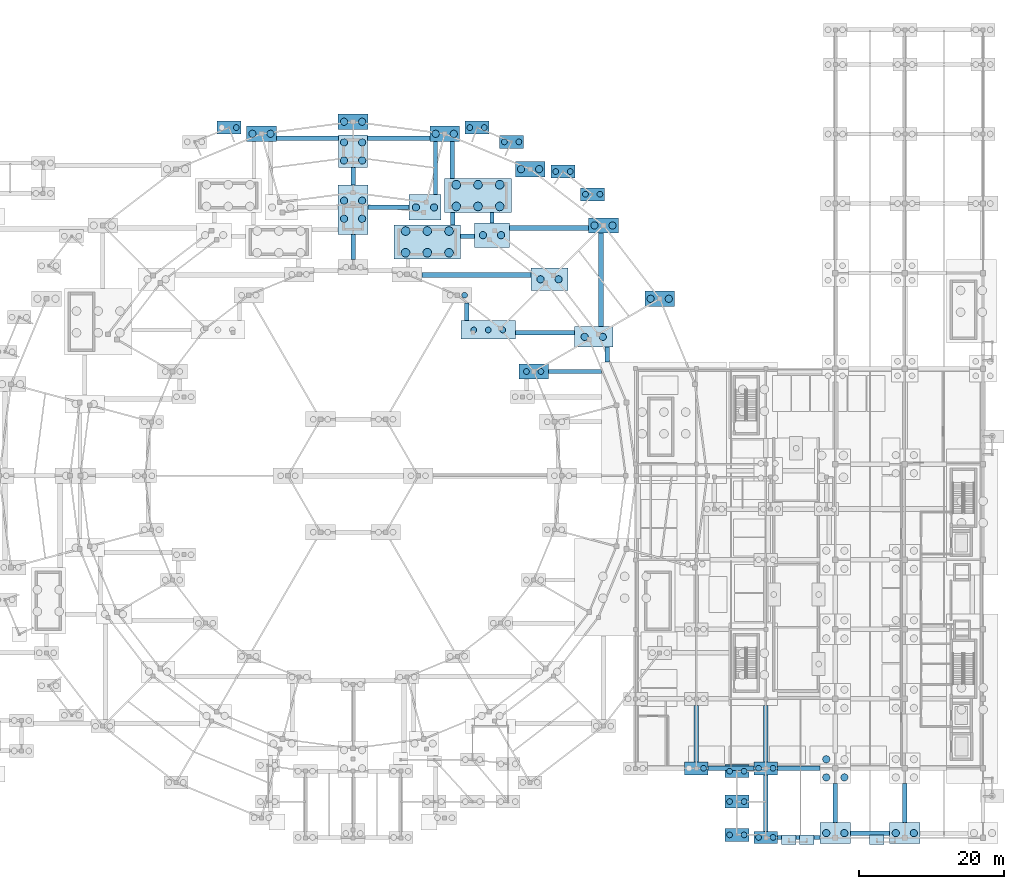
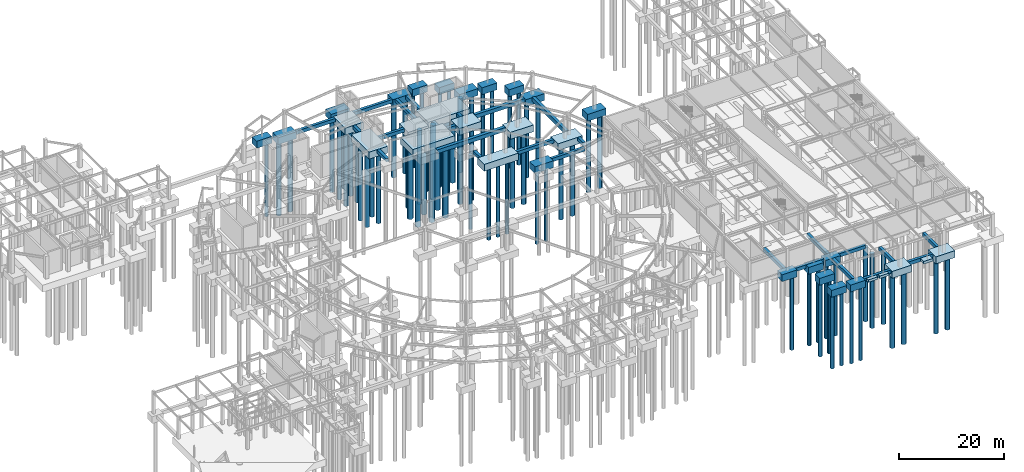
# One storey, part 5 of 55: 73 piles, 58 footings.
"""IFC4 building model written with IfcOpenShell, lengths in metres."""

import ifcopenshell
import ifcopenshell.guid

model = None  # the IFC model being written
_history = None  # IfcOwnerHistory: only IFC2X3 demands one
_inside = {}  # id of a spatial element -> (the spatial element, [elements in it])
_under = {}  # id of a project, library or spatial element -> (it, [spatial elements below it])
_declared = {}  # id of a project -> (the project, [libraries it declares])
_typed = {}  # id of a type object -> (the type object, [elements of that type])
_made_of = {}  # id of a material, layer set ... -> (it, [elements and type objects made of it])


def new_model(schema):
    """Start an empty IFC model of exactly this schema.

    Asked for "IFC4X3", IfcOpenShell would pick the latest addendum, in which some entities
    have other attributes; the version numbers below select the first issue.
    IFC2X3 requires an IfcOwnerHistory on every rooted entity: one is made here for all.
    """
    global model, _history
    if schema == "IFC4X3":
        model = ifcopenshell.file(schema_version=(4, 3, 0, 0))
    else:
        model = ifcopenshell.file(schema=schema)
    _inside.clear()
    _under.clear()
    _declared.clear()
    _typed.clear()
    _made_of.clear()
    _history = None
    if model.schema == "IFC2X3":
        org = make("IfcOrganization", Name="unknown")
        user = make(
            "IfcPersonAndOrganization",
            ThePerson=make("IfcPerson", FamilyName="unknown"),
            TheOrganization=org,
        )
        app = make(
            "IfcApplication",
            ApplicationDeveloper=org,
            Version="unknown",
            ApplicationFullName="unknown",
            ApplicationIdentifier="unknown",
        )
        _history = make(
            "IfcOwnerHistory",
            OwningUser=user,
            OwningApplication=app,
            ChangeAction="ADDED",
            CreationDate=0,
        )
    return model


def make(cls, **values):
    """One entity of the class cls with the attributes given. An attribute that is None is left unset."""
    return model.create_entity(
        cls, **{name: value for name, value in values.items() if value is not None}
    )


def rooted(cls, **values):
    """An entity with a GlobalId (a new one), such as an element, a storey or a relation."""
    return make(cls, GlobalId=ifcopenshell.guid.new(), OwnerHistory=_history, **values)


def si_unit(unit_type, name, prefix=None):
    """IfcSIUnit, for example si_unit("LENGTHUNIT", "METRE", prefix="MILLI")."""
    return make("IfcSIUnit", UnitType=unit_type, Prefix=prefix, Name=name)


def assignment(units):
    """IfcUnitAssignment: the units of a project."""
    return None if units is None else make("IfcUnitAssignment", Units=units)


def point(xyz):
    """IfcCartesianPoint."""
    return None if xyz is None else make("IfcCartesianPoint", Coordinates=xyz)


def direction(xyz):
    """IfcDirection."""
    return None if xyz is None else make("IfcDirection", DirectionRatios=xyz)


def frame(location, z_axis=None, x_axis=None):
    """IfcAxis2Placement3D, a coordinate frame: its origin and axes. An axis left out is left unset."""
    return make(
        "IfcAxis2Placement3D",
        Location=point(location),
        Axis=direction(z_axis),
        RefDirection=direction(x_axis),
    )


def frame_2d(location, x_axis=None):
    """IfcAxis2Placement2D, a coordinate frame in the plane: its origin and x axis."""
    return make(
        "IfcAxis2Placement2D", Location=point(location), RefDirection=direction(x_axis)
    )


def origin():
    """The frame at (0, 0, 0) with its axes left unset."""
    return frame((0.0, 0.0, 0.0))


def origin_2d():
    """The frame at (0, 0) in the plane with its x axis left unset."""
    return frame_2d((0.0, 0.0))


def place(relative_to, where):
    """IfcLocalPlacement: puts the frame where relative to a parent placement (None: the world)."""
    return make(
        "IfcLocalPlacement", PlacementRelTo=relative_to, RelativePlacement=where
    )


def context(
    kind, dimensions, precision=None, world=None, true_north=None, identifier=None
):
    """IfcGeometricRepresentationContext, for example the 3D "Model" context."""
    return make(
        "IfcGeometricRepresentationContext",
        ContextIdentifier=identifier,
        ContextType=kind,
        CoordinateSpaceDimension=dimensions,
        Precision=precision,
        WorldCoordinateSystem=world,
        TrueNorth=true_north,
    )


def subcontext(parent, identifier, kind, view, scale=None):
    """IfcGeometricRepresentationSubContext, for example "Body" below "Model"."""
    return make(
        "IfcGeometricRepresentationSubContext",
        ContextIdentifier=identifier,
        ContextType=kind,
        ParentContext=parent,
        TargetScale=scale,
        TargetView=view,
    )


def project(units=None, contexts=None):
    """IfcProject with its units and contexts."""
    return rooted(
        "IfcProject",
        Name="project",
        RepresentationContexts=contexts,
        UnitsInContext=assignment(units),
    )


def spatial(cls, under=None, at=None, **own):
    """A site, building, storey or space (cls), placed at a placement, below another one or the project."""
    s = rooted(cls, ObjectPlacement=at, **own)
    if under is not None:
        _under.setdefault(under.id(), (under, []))[1].append(s)
    return s


def profile(cls, at=None, kind="AREA", **sizes):
    """A parametric profile (cls). Its sizes go by their IFC names, for example OverallWidth=200.0."""
    return make(cls, ProfileType=kind, Position=at, **sizes)


def rectangle(**sizes):
    """IfcRectangleProfileDef."""
    return profile("IfcRectangleProfileDef", **sizes)


def circle(**sizes):
    """IfcCircleProfileDef."""
    return profile("IfcCircleProfileDef", **sizes)


def extrude(swept, where, along, depth):
    """IfcExtrudedAreaSolid: the profile swept, set in the frame where, extruded along a direction by depth."""
    return make(
        "IfcExtrudedAreaSolid",
        SweptArea=swept,
        Position=where,
        ExtrudedDirection=direction(along),
        Depth=depth,
    )


def shape(context_of_items, identifier, shape_type, items):
    """IfcShapeRepresentation: the items that make up one representation, for example the "Body"."""
    return make(
        "IfcShapeRepresentation",
        ContextOfItems=context_of_items,
        RepresentationIdentifier=identifier,
        RepresentationType=shape_type,
        Items=items,
    )


def material(Name=None, Category=None):
    """IfcMaterial."""
    return make("IfcMaterial", Name=Name, Category=Category)


def material_profile(
    of_material, cross_section, Name=None, Category=None, Priority=None
):
    """IfcMaterialProfile: a cross section and its material."""
    return make(
        "IfcMaterialProfile",
        Name=Name,
        Material=of_material,
        Profile=cross_section,
        Priority=Priority,
        Category=Category,
    )


def profile_set(profiles, Name=None, composite=None):
    """IfcMaterialProfileSet."""
    return make(
        "IfcMaterialProfileSet",
        Name=Name,
        MaterialProfiles=profiles,
        CompositeProfile=composite,
    )


def made_of(thing, what):
    """Note that an element or type object is made of a material, layer set ...; save() writes the relation."""
    if what is not None:
        _made_of.setdefault(what.id(), (what, []))[1].append(thing)
    return thing


def type_object(cls, material=None, **own):
    """A type object (cls), such as IfcWallType, which elements share."""
    return made_of(rooted(cls, **own), material)


def element(
    cls,
    number,
    at=None,
    inside=None,
    cuts=None,
    type_object=None,
    material=None,
    context=None,
    identifier="Body",
    shape_type=None,
    held_by="IfcProductDefinitionShape",
    body=None,
    shapes=None,
    **own,
):
    """One element of the class cls, such as IfcWall. Its Tag is "e" and its number.

    at: its placement. inside: the storey or other place that contains it. cuts: it is an
    opening in that element (IfcRelVoidsElement). A single representation is given by context,
    identifier, shape_type and body (its items); several are given by shapes. held_by: the class
    of the entity that holds the representations. save() writes the other relations.
    """
    e = rooted(cls, Tag="e%d" % number, ObjectPlacement=at, **own)
    if body is not None:
        shapes = [shape(context, identifier, shape_type, body)]
    if shapes is not None:
        e.Representation = make(held_by, Representations=shapes)
    if inside is not None:
        _inside.setdefault(inside.id(), (inside, []))[1].append(e)
    if cuts is not None:
        rooted(
            "IfcRelVoidsElement", RelatingBuildingElement=cuts, RelatedOpeningElement=e
        )
    if type_object is not None:
        _typed.setdefault(type_object.id(), (type_object, []))[1].append(e)
    return made_of(e, material)


def aggregate(whole, parts):
    """IfcRelAggregates: a whole, such as a stair, and the parts it consists of."""
    return rooted("IfcRelAggregates", RelatingObject=whole, RelatedObjects=parts)


def save(model, path):
    """Write the relations noted so far, then the file.

    IfcRelAggregates (storeys below a building ...), IfcRelContainedInSpatialStructure (elements
    in a storey), IfcRelDefinesByType, IfcRelAssociatesMaterial and IfcRelDeclares: one each for
    every whole, place, type object, material and project.
    """
    for whole, parts in _under.values():
        aggregate(whole, parts)
    for where, things in _inside.values():
        rooted(
            "IfcRelContainedInSpatialStructure",
            RelatedElements=things,
            RelatingStructure=where,
        )
    for kind, things in _typed.values():
        rooted("IfcRelDefinesByType", RelatedObjects=things, RelatingType=kind)
    for what, things in _made_of.values():
        rooted("IfcRelAssociatesMaterial", RelatedObjects=things, RelatingMaterial=what)
    for by, libraries in _declared.values():
        rooted("IfcRelDeclares", RelatingContext=by, RelatedDefinitions=libraries)
    model.write(path)


model = new_model("IFC4")

# Units and contexts
model_context = context("Model", 3, precision=1e-05, world=origin(), true_north=direction((0.0, 1.0)))
body_context = subcontext(model_context, "Body", "Model", "MODEL_VIEW")
ifc_project = project(units=[si_unit("LENGTHUNIT", "METRE"), si_unit("AREAUNIT", "SQUARE_METRE"), si_unit("VOLUMEUNIT", "CUBIC_METRE"), si_unit("PLANEANGLEUNIT", "RADIAN"), si_unit("MASSUNIT", "GRAM", prefix="KILO")], contexts=[model_context])

# Site, building, storey
site_placement = place(None, origin())
site = spatial("IfcSite", under=ifc_project, at=site_placement, CompositionType="ELEMENT")
building_placement = place(site_placement, origin())
building = spatial("IfcBuilding", under=site, at=building_placement, Name="Almandine Court Research Institute", CompositionType="ELEMENT")
storey_placement = place(building_placement, frame((0.0, 0.0, -5.25)))
storey = spatial("IfcBuildingStorey", under=building, at=storey_placement, Name="B1", CompositionType="ELEMENT", Elevation=-5.25)

# Footings
ifc_material = material(Name="Concrete C35/45", Category="concrete")
footing_type_1 = type_object("IfcFootingType", Name="Cap-PC-01", PredefinedType="PILE_CAP", material=ifc_material)
for number, where, z_axis, x_axis, name in (
    (1, (153.60009765625, 6.64990234375, -1.60009765625), (0.0, 0.0, 1.0), (1.0, 0.0, 0.0), "Reinforced Concrete Pile Cap 001"),
    (2, (163.199951171875, 6.64990234375, -1.60009765625), (0.0, 0.0, 1.0), (1.0, 0.0, 0.0), "Reinforced Concrete Pile Cap 002"),
):
    element("IfcFooting", number, at=place(storey_placement, frame(where, z_axis=z_axis, x_axis=x_axis)), inside=storey, type_object=footing_type_1, Name=name, PredefinedType="PILE_CAP", context=body_context, shape_type="SweptSolid", body=[
        extrude(rectangle(XDim=4.199951171875, YDim=2.89990234375, at=origin_2d()), origin(), (0.0, 0.0, 1.0), 1.60009765625),
    ])
footing_type_2 = type_object("IfcFootingType", Name="Cap-PC-03", PredefinedType="PILE_CAP", material=ifc_material)
footing_1_placement = place(storey_placement, frame((144.0, 6.050048828125, -1.60009765625), z_axis=(0.0, 0.0, 1.0), x_axis=(1.0, 0.0, 0.0)))
element("IfcFooting", 3, at=footing_1_placement, inside=storey, type_object=footing_type_2, Name="Reinforced Concrete Pile Cap 009", PredefinedType="PILE_CAP", context=body_context, shape_type="SweptSolid", body=[
    extrude(rectangle(XDim=3.300048828125, YDim=1.699951171875, at=origin_2d()), origin(), (0.0, 0.0, 1.0), 1.60009765625),
])
footing_type_3 = type_object("IfcFootingType", Name="Cap-PC-05", PredefinedType="PILE_CAP", material=ifc_material)
for number, where, z_axis, x_axis, name in (
    (4, (134.39990234375, 15.60009765625, -1.60009765625), (0.0, 0.0, 1.0), (1.0, 0.0, 0.0), "Reinforced Concrete Pile Cap 022"),
    (5, (144.0, 15.60009765625, -1.60009765625), (0.0, 0.0, 1.0), (1.0, 0.0, 0.0), "Reinforced Concrete Pile Cap 023"),
):
    element("IfcFooting", number, at=place(storey_placement, frame(where, z_axis=z_axis, x_axis=x_axis)), inside=storey, type_object=footing_type_3, Name=name, PredefinedType="PILE_CAP", context=body_context, shape_type="SweptSolid", body=[
        extrude(rectangle(XDim=3.300048828125, YDim=1.800048828125, at=origin_2d()), origin(), (0.0, 0.0, 1.0), 1.60009765625),
    ])
footing_type_4 = type_object("IfcFootingType", Name="Cap-PC-18", PredefinedType="PILE_CAP", material=ifc_material)
footing_2_placement = place(storey_placement, frame((111.94189453125, 70.39990234375, -1.60009765625), z_axis=(0.0, 0.0, 1.0), x_axis=(1.0, 0.0, 0.0)))
element("IfcFooting", 6, at=footing_2_placement, inside=storey, type_object=footing_type_4, Name="Reinforced Concrete Pile Cap 100", PredefinedType="PILE_CAP", context=body_context, shape_type="SweptSolid", body=[
    extrude(rectangle(XDim=4.10009765625, YDim=2.10009765625, at=origin_2d()), origin(), (0.0, 0.0, 1.0), 1.60009765625),
])
footing_type_5 = type_object("IfcFootingType", Name="Cap-PC-27", PredefinedType="PILE_CAP", material=ifc_material)
for number, where, z_axis, x_axis, name in (
    (7, (129.34912109375, 80.449951171875, -1.60009765625), (0.0, 0.0, 1.0), (1.0, 0.0, 0.0), "Reinforced Concrete Pile Cap 107"),
    (8, (121.577880859375, 90.577880859375, -1.60009765625), (0.0, 0.0, 1.0), (1.0, 0.0, 0.0), "Reinforced Concrete Pile Cap 127"),
    (9, (111.449951171875, 98.34912109375, -1.60009765625), (0.0, 0.0, 1.0), (1.0, 0.0, 0.0), "Reinforced Concrete Pile Cap 139"),
    (10, (74.343994140625, 103.23388671875, -1.60009765625), (0.0, 0.0, 1.0), (1.0, 0.0, 0.0), "Reinforced Concrete Pile Cap 147"),
    (11, (99.656005859375, 103.23388671875, -1.60009765625), (0.0, 0.0, 1.0), (1.0, 0.0, 0.0), "Reinforced Concrete Pile Cap 148"),
    (12, (87.0, 104.89990234375, -1.60009765625), (0.0, 0.0, 1.0), (1.0, 0.0, 0.0), "Reinforced Concrete Pile Cap 152"),
):
    element("IfcFooting", number, at=place(storey_placement, frame(where, z_axis=z_axis, x_axis=x_axis)), inside=storey, type_object=footing_type_5, Name=name, PredefinedType="PILE_CAP", context=body_context, shape_type="SweptSolid", body=[
        extrude(rectangle(XDim=4.10009765625, YDim=2.10009765625, at=origin_2d()), origin(), (0.0, 0.0, 1.0), 1.60009765625),
    ])
footing_type_6 = type_object("IfcFootingType", Name="Cap-PC-30", PredefinedType="PILE_CAP", material=ifc_material)
footing_3_placement = place(storey_placement, frame((120.23388671875, 75.18798828125, -1.60009765625), z_axis=(0.0, 0.0, 1.0), x_axis=(1.0, 0.0, 0.0)))
element("IfcFooting", 13, at=footing_3_placement, inside=storey, type_object=footing_type_6, Name="Reinforced Concrete Pile Cap 102", PredefinedType="PILE_CAP", context=body_context, shape_type="SweptSolid", body=[
    extrude(rectangle(XDim=5.35595703125, YDim=2.824951171875, at=origin_2d()), origin(), (0.0, 0.0, 1.0), 1.60009765625),
])
footing_type_7 = type_object("IfcFootingType", Name="Cap-PC-32", PredefinedType="PILE_CAP", material=ifc_material)
footing_4_placement = place(storey_placement, frame((105.674072265625, 76.138916015625, -1.60009765625), z_axis=(0.0, 0.0, 1.0), x_axis=(1.0, 0.0, 0.0)))
element("IfcFooting", 14, at=footing_4_placement, inside=storey, type_object=footing_type_7, Name="Reinforced Concrete Pile Cap 105", PredefinedType="PILE_CAP", context=body_context, shape_type="SweptSolid", body=[
    extrude(rectangle(XDim=7.48095703125, YDim=2.551025390625, at=origin_2d()), origin(), (0.0, 0.0, 1.0), 1.60009765625),
])
footing_type_8 = type_object("IfcFootingType", Name="Cap-PC-33", PredefinedType="PILE_CAP", material=ifc_material)
footing_5_placement = place(storey_placement, frame((114.135009765625, 83.135009765625, -1.60009765625), z_axis=(0.0, 0.0, 1.0), x_axis=(1.0, 0.0, 0.0)))
element("IfcFooting", 15, at=footing_5_placement, inside=storey, type_object=footing_type_8, Name="Reinforced Concrete Pile Cap 111", PredefinedType="PILE_CAP", context=body_context, shape_type="SweptSolid", body=[
    extrude(rectangle(XDim=5.125, YDim=3.125, at=origin_2d()), origin(), (0.0, 0.0, 1.0), 1.60009765625),
])
footing_type_9 = type_object("IfcFootingType", Name="Cap-PC-35", PredefinedType="PILE_CAP", material=ifc_material)
for number, where, z_axis, x_axis, name in (
    (16, (97.25, 88.300048828125, -1.60009765625), (0.0, 0.0, 1.0), (1.0, 0.0, 0.0), "Reinforced Concrete Pile Cap 120"),
    (17, (104.25, 94.699951171875, -1.60009765625), (0.0, 0.0, 1.0), (1.0, 0.0, 0.0), "Reinforced Concrete Pile Cap 133"),
):
    element("IfcFooting", number, at=place(storey_placement, frame(where, z_axis=z_axis, x_axis=x_axis)), inside=storey, type_object=footing_type_9, Name=name, PredefinedType="PILE_CAP", context=body_context, shape_type="SweptSolid", body=[
        extrude(rectangle(XDim=9.199951171875, YDim=4.699951171875, at=origin_2d()), origin(), (0.0, 0.0, 1.0), 1.60009765625),
    ])
footing_type_10 = type_object("IfcFootingType", Name="Cap-PC-37", PredefinedType="PILE_CAP", material=ifc_material)
footing_6_placement = place(storey_placement, frame((106.18798828125, 89.23388671875, -1.60009765625), z_axis=(0.0, 0.0, 1.0), x_axis=(1.0, 0.0, 0.0)))
element("IfcFooting", 18, at=footing_6_placement, inside=storey, type_object=footing_type_10, Name="Reinforced Concrete Pile Cap 124", PredefinedType="PILE_CAP", context=body_context, shape_type="SweptSolid", body=[
    extrude(rectangle(XDim=4.824951171875, YDim=3.35595703125, at=origin_2d()), origin(), (0.0, 0.0, 1.0), 1.60009765625),
])
footing_type_11 = type_object("IfcFootingType", Name="Cap-PC-38", PredefinedType="PILE_CAP", material=ifc_material)
footing_7_placement = place(storey_placement, frame((87.0, 92.75, -1.60009765625), z_axis=(0.0, 0.0, 1.0), x_axis=(1.0, 0.0, 0.0)))
element("IfcFooting", 19, at=footing_7_placement, inside=storey, type_object=footing_type_11, Name="Reinforced Concrete Pile Cap 125", PredefinedType="PILE_CAP", context=body_context, shape_type="SweptSolid", body=[
    extrude(rectangle(XDim=4.10009765625, YDim=6.800048828125, at=origin_2d()), origin(), (0.0, 0.0, 1.0), 1.60009765625),
])
footing_type_12 = type_object("IfcFootingType", Name="Cap-PC-39", PredefinedType="PILE_CAP", material=ifc_material)
footing_8_placement = place(storey_placement, frame((96.93310546875, 93.06689453125, -1.60009765625), z_axis=(0.0, 0.0, 1.0), x_axis=(1.0, 0.0, 0.0)))
element("IfcFooting", 20, at=footing_8_placement, inside=storey, type_object=footing_type_12, Name="Reinforced Concrete Pile Cap 129", PredefinedType="PILE_CAP", context=body_context, shape_type="SweptSolid", body=[
    extrude(rectangle(XDim=4.47509765625, YDim=3.5009765625, at=origin_2d()), origin(), (0.0, 0.0, 1.0), 1.60009765625),
])
footing_type_13 = type_object("IfcFootingType", Name="Cap-PC-41", PredefinedType="PILE_CAP", material=ifc_material)
footing_9_placement = place(storey_placement, frame((87.0, 100.800048828125, -1.60009765625), z_axis=(0.0, 0.0, 1.0), x_axis=(1.0, 0.0, 0.0)))
element("IfcFooting", 21, at=footing_9_placement, inside=storey, type_object=footing_type_13, Name="Reinforced Concrete Pile Cap 142", PredefinedType="PILE_CAP", context=body_context, shape_type="SweptSolid", body=[
    extrude(rectangle(XDim=4.0, YDim=4.5, at=origin_2d()), origin(), (0.0, 0.0, 1.0), 1.60009765625),
])
footing_type_14 = type_object("IfcFootingType", Name="Cap-PC-S01", PredefinedType="PILE_CAP", material=ifc_material)
for number, where, z_axis, x_axis, name in (
    (22, (140.0, 6.39990234375, -1.60009765625), (0.0, 0.0, 1.0), (1.0, 0.0, 0.0), "Supplemental Threshold Pile Cap 004"),
    (23, (140.0, 11.0, -1.60009765625), (0.0, 0.0, 1.0), (1.0, 0.0, 0.0), "Supplemental Threshold Pile Cap 005"),
    (24, (140.0, 15.199951171875, -1.60009765625), (0.0, 0.0, 1.0), (1.0, 0.0, 0.0), "Supplemental Threshold Pile Cap 006"),
    (25, (120.0869140625, 94.876953125, -1.60009765625), (0.0, 0.0, 1.0), (1.0, 0.0, 0.0), "Supplemental Threshold Pile Cap 015"),
    (26, (115.988037109375, 98.02099609375, -1.60009765625), (0.0, 0.0, 1.0), (1.0, 0.0, 0.0), "Supplemental Threshold Pile Cap 016"),
    (27, (108.89697265625, 102.114990234375, -1.60009765625), (0.0, 0.0, 1.0), (1.0, 0.0, 0.0), "Supplemental Threshold Pile Cap 017"),
    (28, (104.125, 104.092041015625, -1.60009765625), (0.0, 0.0, 1.0), (1.0, 0.0, 0.0), "Supplemental Threshold Pile Cap 018"),
    (29, (69.875, 104.092041015625, -1.60009765625), (0.0, 0.0, 1.0), (1.0, 0.0, 0.0), "Supplemental Threshold Pile Cap 019"),
):
    element("IfcFooting", number, at=place(storey_placement, frame(where, z_axis=z_axis, x_axis=x_axis)), inside=storey, type_object=footing_type_14, Name=name, PredefinedType="PILE_CAP", context=body_context, shape_type="SweptSolid", body=[
        extrude(rectangle(XDim=3.300048828125, YDim=1.800048828125, at=origin_2d()), origin(), (0.0, 0.0, 1.0), 1.60009765625),
    ])
footing_type_15 = type_object("IfcFootingType", Name="Pad-PF1", PredefinedType="PAD_FOOTING", material=ifc_material)
for number, where, z_axis, x_axis, name in (
    (30, (147.14990234375, 5.735107421875, -0.60009765625), (0.0, 0.0, 1.0), (1.0, 0.0, 0.0), "Reinforced Concrete Pad Footing PAD-V4-FCC-C1"),
    (31, (149.64990234375, 5.735107421875, -0.60009765625), (0.0, 0.0, 1.0), (1.0, 0.0, 0.0), "Reinforced Concrete Pad Footing PAD-V4-FCC-C2"),
    (32, (159.35009765625, 5.735107421875, -0.60009765625), (0.0, 0.0, 1.0), (1.0, 0.0, 0.0), "Reinforced Concrete Pad Footing PAD-V4-S2-C1"),
):
    element("IfcFooting", number, at=place(storey_placement, frame(where, z_axis=z_axis, x_axis=x_axis)), inside=storey, type_object=footing_type_15, Name=name, PredefinedType="PAD_FOOTING", context=body_context, shape_type="SweptSolid", body=[
        extrude(rectangle(XDim=2.0, YDim=1.3701171875, at=origin_2d()), origin(), (0.0, 0.0, 1.0), 0.60009765625),
    ])

# Piles
ifc_material_profile_1 = material_profile(ifc_material, circle(Radius=0.5, at=origin_2d()), Name="BORED PILE D1000")
ifc_profile_set_1 = profile_set([ifc_material_profile_1], Name="Concrete C35/45")
pile_type_1 = type_object("IfcPileType", Name="Pile-BP-1000", PredefinedType="BORED", material=ifc_profile_set_1)
for number, where, z_axis, x_axis, name in (
    (33, (152.35009765625, 6.64990234375, -1.5), (0.0, 0.0, -1.0), (1.0, 0.0, 0.0), "Bored Pile 001-1"),
    (34, (154.85009765625, 6.64990234375, -1.5), (0.0, 0.0, -1.0), (1.0, 0.0, 0.0), "Bored Pile 001-2"),
    (35, (161.949951171875, 6.64990234375, -1.5), (0.0, 0.0, -1.0), (1.0, 0.0, 0.0), "Bored Pile 002-1"),
    (36, (164.449951171875, 6.64990234375, -1.5), (0.0, 0.0, -1.0), (1.0, 0.0, 0.0), "Bored Pile 002-2"),
    (37, (152.35009765625, 14.35009765625, -1.5), (0.0, 0.0, -1.0), (1.0, 0.0, 0.0), "Bored Pile 014-1"),
    (38, (152.35009765625, 16.85009765625, -1.5), (0.0, 0.0, -1.0), (1.0, 0.0, 0.0), "Bored Pile 014-2"),
    (39, (154.85009765625, 14.35009765625, -1.5), (0.0, 0.0, -1.0), (1.0, 0.0, 0.0), "Bored Pile 014-3"),
    (40, (118.98388671875, 75.18798828125, -1.5), (0.0, 0.0, -1.0), (1.0, 0.0, 0.0), "Bored Pile 102-1"),
    (41, (121.48388671875, 75.18798828125, -1.5), (0.0, 0.0, -1.0), (1.0, 0.0, 0.0), "Bored Pile 102-2"),
    (42, (128.09912109375, 80.449951171875, -1.5), (0.0, 0.0, -1.0), (1.0, 0.0, 0.0), "Bored Pile 107-1"),
    (43, (130.59912109375, 80.449951171875, -1.5), (0.0, 0.0, -1.0), (1.0, 0.0, 0.0), "Bored Pile 107-2"),
    (44, (112.885009765625, 83.135009765625, -1.5), (0.0, 0.0, -1.0), (1.0, 0.0, 0.0), "Bored Pile 111-1"),
    (45, (115.385009765625, 83.135009765625, -1.5), (0.0, 0.0, -1.0), (1.0, 0.0, 0.0), "Bored Pile 111-2"),
    (46, (104.93798828125, 89.23388671875, -1.5), (0.0, 0.0, -1.0), (1.0, 0.0, 0.0), "Bored Pile 124-1"),
    (47, (107.43798828125, 89.23388671875, -1.5), (0.0, 0.0, -1.0), (1.0, 0.0, 0.0), "Bored Pile 124-2"),
    (48, (85.75, 91.5, -1.5), (0.0, 0.0, -1.0), (1.0, 0.0, 0.0), "Bored Pile 125-1"),
    (49, (85.75, 94.0, -1.5), (0.0, 0.0, -1.0), (1.0, 0.0, 0.0), "Bored Pile 125-2"),
    (50, (88.25, 91.5, -1.5), (0.0, 0.0, -1.0), (1.0, 0.0, 0.0), "Bored Pile 125-3"),
    (51, (88.25, 94.0, -1.5), (0.0, 0.0, -1.0), (1.0, 0.0, 0.0), "Bored Pile 125-4"),
    (52, (120.327880859375, 90.577880859375, -1.5), (0.0, 0.0, -1.0), (1.0, 0.0, 0.0), "Bored Pile 127-1"),
    (53, (122.827880859375, 90.577880859375, -1.5), (0.0, 0.0, -1.0), (1.0, 0.0, 0.0), "Bored Pile 127-2"),
    (54, (95.68310546875, 93.06689453125, -1.5), (0.0, 0.0, -1.0), (1.0, 0.0, 0.0), "Bored Pile 129-1"),
    (55, (98.18310546875, 93.06689453125, -1.5), (0.0, 0.0, -1.0), (1.0, 0.0, 0.0), "Bored Pile 129-2"),
    (56, (110.199951171875, 98.34912109375, -1.5), (0.0, 0.0, -1.0), (1.0, 0.0, 0.0), "Bored Pile 139-1"),
    (57, (112.699951171875, 98.34912109375, -1.5), (0.0, 0.0, -1.0), (1.0, 0.0, 0.0), "Bored Pile 139-2"),
    (58, (85.75, 99.550048828125, -1.5), (0.0, 0.0, -1.0), (1.0, 0.0, 0.0), "Bored Pile 142-1"),
    (59, (85.75, 102.050048828125, -1.5), (0.0, 0.0, -1.0), (1.0, 0.0, 0.0), "Bored Pile 142-2"),
    (60, (88.25, 99.550048828125, -1.5), (0.0, 0.0, -1.0), (1.0, 0.0, 0.0), "Bored Pile 142-3"),
    (61, (88.25, 102.050048828125, -1.5), (0.0, 0.0, -1.0), (1.0, 0.0, 0.0), "Bored Pile 142-4"),
    (62, (73.093994140625, 103.23388671875, -1.5), (0.0, 0.0, -1.0), (1.0, 0.0, 0.0), "Bored Pile 147-1"),
    (63, (75.593994140625, 103.23388671875, -1.5), (0.0, 0.0, -1.0), (1.0, 0.0, 0.0), "Bored Pile 147-2"),
    (64, (98.406005859375, 103.23388671875, -1.5), (0.0, 0.0, -1.0), (1.0, 0.0, 0.0), "Bored Pile 148-1"),
    (65, (100.906005859375, 103.23388671875, -1.5), (0.0, 0.0, -1.0), (1.0, 0.0, 0.0), "Bored Pile 148-2"),
    (66, (85.75, 104.89990234375, -1.5), (0.0, 0.0, -1.0), (1.0, 0.0, 0.0), "Bored Pile 152-1"),
    (67, (88.25, 104.89990234375, -1.5), (0.0, 0.0, -1.0), (1.0, 0.0, 0.0), "Bored Pile 152-2"),
):
    element("IfcPile", number, at=place(storey_placement, frame(where, z_axis=z_axis, x_axis=x_axis)), inside=storey, type_object=pile_type_1, Name=name, PredefinedType="BORED", context=body_context, shape_type="SweptSolid", body=[
        extrude(circle(Radius=0.5, at=origin_2d()), origin(), (0.0, 0.0, 1.0), 17.25),
    ])
ifc_material_profile_2 = material_profile(ifc_material, circle(Radius=0.60009765625, at=origin_2d()), Name="BORED PILE D1200")
ifc_profile_set_2 = profile_set([ifc_material_profile_2], Name="Concrete C35/45")
pile_type_2 = type_object("IfcPileType", Name="Pile-BP-1200", PredefinedType="BORED", material=ifc_profile_set_2)
for number, where, z_axis, x_axis, name in (
    (68, (94.25, 86.800048828125, -1.5), (0.0, 0.0, -1.0), (1.0, 0.0, 0.0), "Bored Pile 120-1"),
    (69, (94.25, 89.800048828125, -1.5), (0.0, 0.0, -1.0), (1.0, 0.0, 0.0), "Bored Pile 120-2"),
    (70, (97.25, 86.800048828125, -1.5), (0.0, 0.0, -1.0), (1.0, 0.0, 0.0), "Bored Pile 120-3"),
    (71, (97.25, 89.800048828125, -1.5), (0.0, 0.0, -1.0), (1.0, 0.0, 0.0), "Bored Pile 120-4"),
    (72, (100.25, 86.800048828125, -1.5), (0.0, 0.0, -1.0), (1.0, 0.0, 0.0), "Bored Pile 120-5"),
    (73, (100.25, 89.800048828125, -1.5), (0.0, 0.0, -1.0), (1.0, 0.0, 0.0), "Bored Pile 120-6"),
    (74, (101.25, 93.199951171875, -1.5), (0.0, 0.0, -1.0), (1.0, 0.0, 0.0), "Bored Pile 133-1"),
    (75, (101.25, 96.199951171875, -1.5), (0.0, 0.0, -1.0), (1.0, 0.0, 0.0), "Bored Pile 133-2"),
    (76, (104.25, 93.199951171875, -1.5), (0.0, 0.0, -1.0), (1.0, 0.0, 0.0), "Bored Pile 133-3"),
    (77, (104.25, 96.199951171875, -1.5), (0.0, 0.0, -1.0), (1.0, 0.0, 0.0), "Bored Pile 133-4"),
    (78, (107.25, 93.199951171875, -1.5), (0.0, 0.0, -1.0), (1.0, 0.0, 0.0), "Bored Pile 133-5"),
    (79, (107.25, 96.199951171875, -1.5), (0.0, 0.0, -1.0), (1.0, 0.0, 0.0), "Bored Pile 133-6"),
):
    element("IfcPile", number, at=place(storey_placement, frame(where, z_axis=z_axis, x_axis=x_axis)), inside=storey, type_object=pile_type_2, Name=name, PredefinedType="BORED", context=body_context, shape_type="SweptSolid", body=[
        extrude(circle(Radius=0.60009765625, at=origin_2d()), origin(), (0.0, 0.0, 1.0), 17.25),
    ])
ifc_material_profile_3 = material_profile(ifc_material, circle(Radius=0.39990234375, at=origin_2d()), Name="BORED PILE D800")
ifc_profile_set_3 = profile_set([ifc_material_profile_3], Name="Concrete C35/45")
pile_type_3 = type_object("IfcPileType", Name="Pile-BP-800", PredefinedType="BORED", material=ifc_profile_set_3)
for number, where, z_axis, x_axis, name in (
    (80, (143.0, 6.050048828125, -1.5), (0.0, 0.0, -1.0), (1.0, 0.0, 0.0), "Bored Pile 009-1"),
    (81, (145.0, 6.050048828125, -1.5), (0.0, 0.0, -1.0), (1.0, 0.0, 0.0), "Bored Pile 009-2"),
    (82, (135.39990234375, 15.60009765625, -1.5), (0.0, 0.0, -1.0), (1.0, 0.0, 0.0), "Bored Pile 022-2"),
    (83, (143.0, 15.60009765625, -1.5), (0.0, 0.0, -1.0), (1.0, 0.0, 0.0), "Bored Pile 023-1"),
    (84, (145.0, 15.60009765625, -1.5), (0.0, 0.0, -1.0), (1.0, 0.0, 0.0), "Bored Pile 023-2"),
    (85, (110.94189453125, 70.39990234375, -1.5), (0.0, 0.0, -1.0), (1.0, 0.0, 0.0), "Bored Pile 100-1"),
    (86, (112.94189453125, 70.39990234375, -1.5), (0.0, 0.0, -1.0), (1.0, 0.0, 0.0), "Bored Pile 100-2"),
    (87, (103.674072265625, 76.138916015625, -1.5), (0.0, 0.0, -1.0), (1.0, 0.0, 0.0), "Bored Pile 105-1"),
    (88, (105.674072265625, 76.138916015625, -1.5), (0.0, 0.0, -1.0), (1.0, 0.0, 0.0), "Bored Pile 105-2"),
    (89, (107.674072265625, 76.138916015625, -1.5), (0.0, 0.0, -1.0), (1.0, 0.0, 0.0), "Bored Pile 105-3"),
    (90, (102.39990234375, 80.94189453125, -1.5), (0.0, 0.0, -1.0), (1.0, 0.0, 0.0), "Bored Pile 109-2"),
    (91, (139.0, 6.39990234375, -1.5), (0.0, 0.0, -1.0), (1.0, 0.0, 0.0), "Supplemental Bored Pile 004-1"),
    (92, (141.0, 6.39990234375, -1.5), (0.0, 0.0, -1.0), (1.0, 0.0, 0.0), "Supplemental Bored Pile 004-2"),
    (93, (139.0, 11.0, -1.5), (0.0, 0.0, -1.0), (1.0, 0.0, 0.0), "Supplemental Bored Pile 005-1"),
    (94, (141.0, 11.0, -1.5), (0.0, 0.0, -1.0), (1.0, 0.0, 0.0), "Supplemental Bored Pile 005-2"),
    (95, (139.0, 15.199951171875, -1.5), (0.0, 0.0, -1.0), (1.0, 0.0, 0.0), "Supplemental Bored Pile 006-1"),
    (96, (141.0, 15.199951171875, -1.5), (0.0, 0.0, -1.0), (1.0, 0.0, 0.0), "Supplemental Bored Pile 006-2"),
    (97, (119.0869140625, 94.876953125, -1.5), (0.0, 0.0, -1.0), (1.0, 0.0, 0.0), "Supplemental Bored Pile 015-1"),
    (98, (121.0869140625, 94.876953125, -1.5), (0.0, 0.0, -1.0), (1.0, 0.0, 0.0), "Supplemental Bored Pile 015-2"),
    (99, (114.988037109375, 98.02099609375, -1.5), (0.0, 0.0, -1.0), (1.0, 0.0, 0.0), "Supplemental Bored Pile 016-1"),
    (100, (116.988037109375, 98.02099609375, -1.5), (0.0, 0.0, -1.0), (1.0, 0.0, 0.0), "Supplemental Bored Pile 016-2"),
    (101, (107.89697265625, 102.114990234375, -1.5), (0.0, 0.0, -1.0), (1.0, 0.0, 0.0), "Supplemental Bored Pile 017-1"),
    (102, (109.89697265625, 102.114990234375, -1.5), (0.0, 0.0, -1.0), (1.0, 0.0, 0.0), "Supplemental Bored Pile 017-2"),
    (103, (103.125, 104.092041015625, -1.5), (0.0, 0.0, -1.0), (1.0, 0.0, 0.0), "Supplemental Bored Pile 018-1"),
    (104, (105.125, 104.092041015625, -1.5), (0.0, 0.0, -1.0), (1.0, 0.0, 0.0), "Supplemental Bored Pile 018-2"),
    (105, (70.875, 104.092041015625, -1.5), (0.0, 0.0, -1.0), (1.0, 0.0, 0.0), "Supplemental Bored Pile 019-2"),
):
    element("IfcPile", number, at=place(storey_placement, frame(where, z_axis=z_axis, x_axis=x_axis)), inside=storey, type_object=pile_type_3, Name=name, PredefinedType="BORED", context=body_context, shape_type="SweptSolid", body=[
        extrude(circle(Radius=0.39990234375, at=origin_2d()), origin(), (0.0, 0.0, 1.0), 17.25),
    ])

# Footings
ifc_material_profile_4 = material_profile(ifc_material, rectangle(XDim=0.60009765625, YDim=0.800048828125, at=origin_2d()), Name="RC TIE 600x800")
ifc_profile_set_4 = profile_set([ifc_material_profile_4], Name="Concrete C35/45")
footing_type_16 = type_object("IfcFootingType", Name="TieBeam-TB1", PredefinedType="FOOTING_BEAM", material=ifc_profile_set_4)
footing_10_placement = place(storey_placement, frame((76.39404296875, 102.616943359375, -0.39990234375), z_axis=(1.0, 0.0, 0.0), x_axis=(0.0, 1.0, 0.0)))
element("IfcFooting", 106, at=footing_10_placement, inside=storey, type_object=footing_type_16, Name="Seismic Foundation Tie Beam 034", PredefinedType="FOOTING_BEAM", context=body_context, shape_type="SweptSolid", body=[
    extrude(rectangle(XDim=0.60009765625, YDim=0.800048828125, at=origin_2d()), origin(), (0.0, 0.0, 1.0), 8.60595703125),
])
footing_11_placement = place(storey_placement, frame((89.050048828125, 93.06689453125, -0.39990234375), z_axis=(1.0, 0.0, 0.0), x_axis=(0.0, 1.0, 0.0)))
element("IfcFooting", 107, at=footing_11_placement, inside=storey, type_object=footing_type_16, Name="Seismic Foundation Tie Beam 049", PredefinedType="FOOTING_BEAM", context=body_context, shape_type="SweptSolid", body=[
    extrude(rectangle(XDim=0.60009765625, YDim=0.800048828125, at=origin_2d()), origin(), (0.0, 0.0, 1.0), 5.64501953125),
])
footing_12_placement = place(storey_placement, frame((89.0, 102.616943359375, -0.39990234375), z_axis=(1.0, 0.0, 0.0), x_axis=(0.0, 1.0, 0.0)))
element("IfcFooting", 108, at=footing_12_placement, inside=storey, type_object=footing_type_16, Name="Seismic Foundation Tie Beam 050", PredefinedType="FOOTING_BEAM", context=body_context, shape_type="SweptSolid", body=[
    extrude(rectangle(XDim=0.60009765625, YDim=0.800048828125, at=origin_2d()), origin(), (0.0, 0.0, 1.0), 8.60595703125),
])
footing_13_placement = place(storey_placement, frame((101.85009765625, 89.10302734375, -0.39990234375), z_axis=(1.0, 0.0, 0.0), x_axis=(0.0, 1.0, 0.0)))
element("IfcFooting", 109, at=footing_13_placement, inside=storey, type_object=footing_type_16, Name="Seismic Foundation Tie Beam 054", PredefinedType="FOOTING_BEAM", context=body_context, shape_type="SweptSolid", body=[
    extrude(rectangle(XDim=0.60009765625, YDim=0.800048828125, at=origin_2d()), origin(), (0.0, 0.0, 1.0), 1.9248046875),
])
footing_14_placement = place(storey_placement, frame((109.4150390625, 75.73193359375, -0.39990234375), z_axis=(1.0, 0.0, 0.0), x_axis=(0.0, 1.0, 0.0)))
element("IfcFooting", 110, at=footing_14_placement, inside=storey, type_object=footing_type_16, Name="Seismic Foundation Tie Beam 055", PredefinedType="FOOTING_BEAM", context=body_context, shape_type="SweptSolid", body=[
    extrude(rectangle(XDim=0.60009765625, YDim=0.800048828125, at=origin_2d()), origin(), (0.0, 0.0, 1.0), 8.140869140625),
])
footing_15_placement = place(storey_placement, frame((113.991943359375, 70.39990234375, -0.39990234375), z_axis=(1.0, 0.0, 0.0), x_axis=(0.0, 1.0, 0.0)))
element("IfcFooting", 111, at=footing_15_placement, inside=storey, type_object=footing_type_16, Name="Seismic Foundation Tie Beam 061", PredefinedType="FOOTING_BEAM", context=body_context, shape_type="SweptSolid", body=[
    extrude(rectangle(XDim=0.60009765625, YDim=0.800048828125, at=origin_2d()), origin(), (0.0, 0.0, 1.0), 7.324951171875),
])
footing_16_placement = place(storey_placement, frame((136.050048828125, 15.60009765625, -0.39990234375), z_axis=(1.0, 0.0, 0.0), x_axis=(0.0, 1.0, 0.0)))
element("IfcFooting", 112, at=footing_16_placement, inside=storey, type_object=footing_type_16, Name="Seismic Foundation Tie Beam 070", PredefinedType="FOOTING_BEAM", context=body_context, shape_type="SweptSolid", body=[
    extrude(rectangle(XDim=0.60009765625, YDim=0.800048828125, at=origin_2d()), origin(), (0.0, 0.0, 1.0), 6.300048828125),
])
for number, where, z_axis, x_axis, name in (
    (113, (145.64990234375, 6.050048828125, -0.39990234375), (1.0, 0.0, 0.0), (0.0, 1.0, 0.0), "Seismic Foundation Tie Beam 076"),
    (114, (145.64990234375, 15.60009765625, -0.39990234375), (1.0, 0.0, 0.0), (0.0, 1.0, 0.0), "Seismic Foundation Tie Beam 077"),
):
    element("IfcFooting", number, at=place(storey_placement, frame(where, z_axis=z_axis, x_axis=x_axis)), inside=storey, type_object=footing_type_16, Name=name, PredefinedType="FOOTING_BEAM", context=body_context, shape_type="SweptSolid", body=[
        extrude(rectangle(XDim=0.60009765625, YDim=0.800048828125, at=origin_2d()), origin(), (0.0, 0.0, 1.0), 5.85009765625),
    ])
footing_17_placement = place(storey_placement, frame((155.699951171875, 6.64990234375, -0.39990234375), z_axis=(1.0, 0.0, 0.0), x_axis=(0.0, 1.0, 0.0)))
element("IfcFooting", 115, at=footing_17_placement, inside=storey, type_object=footing_type_16, Name="Seismic Foundation Tie Beam 083", PredefinedType="FOOTING_BEAM", context=body_context, shape_type="SweptSolid", body=[
    extrude(rectangle(XDim=0.60009765625, YDim=0.800048828125, at=origin_2d()), origin(), (0.0, 0.0, 1.0), 5.400146484375),
])
footing_18_placement = place(storey_placement, frame((144.0, 6.89990234375, -0.39990234375), z_axis=(0.0, 1.0, 0.0), x_axis=(-1.0, 0.0, 0.0)))
element("IfcFooting", 116, at=footing_18_placement, inside=storey, type_object=footing_type_16, Name="Seismic Foundation Tie Beam 109", PredefinedType="FOOTING_BEAM", context=body_context, shape_type="SweptSolid", body=[
    extrude(rectangle(XDim=0.60009765625, YDim=0.800048828125, at=origin_2d()), origin(), (0.0, 0.0, 1.0), 7.800048828125),
])
for number, where, z_axis, x_axis, name in (
    (117, (153.60009765625, 8.10009765625, -0.39990234375), (0.0, 1.0, 0.0), (-1.0, 0.0, 0.0), "Seismic Foundation Tie Beam 111"),
    (118, (163.199951171875, 8.10009765625, -0.39990234375), (0.0, 1.0, 0.0), (-1.0, 0.0, 0.0), "Seismic Foundation Tie Beam 112"),
):
    element("IfcFooting", number, at=place(storey_placement, frame(where, z_axis=z_axis, x_axis=x_axis)), inside=storey, type_object=footing_type_16, Name=name, PredefinedType="FOOTING_BEAM", context=body_context, shape_type="SweptSolid", body=[
        extrude(rectangle(XDim=0.60009765625, YDim=0.800048828125, at=origin_2d()), origin(), (0.0, 0.0, 1.0), 5.39990234375),
    ])
for number, where, z_axis, x_axis, name in (
    (119, (134.39990234375, 16.5, -0.39990234375), (0.0, 1.0, 0.0), (-1.0, 0.0, 0.0), "Seismic Foundation Tie Beam 120"),
    (120, (144.0, 16.5, -0.39990234375), (0.0, 1.0, 0.0), (-1.0, 0.0, 0.0), "Seismic Foundation Tie Beam 121"),
):
    element("IfcFooting", number, at=place(storey_placement, frame(where, z_axis=z_axis, x_axis=x_axis)), inside=storey, type_object=footing_type_16, Name=name, PredefinedType="FOOTING_BEAM", context=body_context, shape_type="SweptSolid", body=[
        extrude(rectangle(XDim=0.60009765625, YDim=0.800048828125, at=origin_2d()), origin(), (0.0, 0.0, 1.0), 7.800048828125),
    ])
footing_19_placement = place(storey_placement, frame((122.114013671875, 71.699951171875, -0.39990234375), z_axis=(0.0, 1.0, 0.0), x_axis=(-1.0, 0.0, 0.0)))
element("IfcFooting", 121, at=footing_19_placement, inside=storey, type_object=footing_type_16, Name="Seismic Foundation Tie Beam 163", PredefinedType="FOOTING_BEAM", context=body_context, shape_type="SweptSolid", body=[
    extrude(rectangle(XDim=0.60009765625, YDim=0.800048828125, at=origin_2d()), origin(), (0.0, 0.0, 1.0), 2.074951171875),
])
footing_20_placement = place(storey_placement, frame((102.69189453125, 77.4150390625, -0.39990234375), z_axis=(0.0, 1.0, 0.0), x_axis=(-1.0, 0.0, 0.0)))
element("IfcFooting", 122, at=footing_20_placement, inside=storey, type_object=footing_type_16, Name="Seismic Foundation Tie Beam 172", PredefinedType="FOOTING_BEAM", context=body_context, shape_type="SweptSolid", body=[
    extrude(rectangle(XDim=0.60009765625, YDim=0.800048828125, at=origin_2d()), origin(), (0.0, 0.0, 1.0), 2.47705078125),
])
footing_21_placement = place(storey_placement, frame((87.0, 85.85009765625, -0.39990234375), z_axis=(0.0, 1.0, 0.0), x_axis=(-1.0, 0.0, 0.0)))
element("IfcFooting", 123, at=footing_21_placement, inside=storey, type_object=footing_type_16, Name="Seismic Foundation Tie Beam 179", PredefinedType="FOOTING_BEAM", context=body_context, shape_type="SweptSolid", body=[
    extrude(rectangle(XDim=0.60009765625, YDim=0.800048828125, at=origin_2d()), origin(), (0.0, 0.0, 1.0), 3.5),
])
footing_22_placement = place(storey_placement, frame((100.75, 90.64990234375, -0.39990234375), z_axis=(0.0, 1.0, 0.0), x_axis=(-1.0, 0.0, 0.0)))
element("IfcFooting", 124, at=footing_22_placement, inside=storey, type_object=footing_type_16, Name="Seismic Foundation Tie Beam 181", PredefinedType="FOOTING_BEAM", context=body_context, shape_type="SweptSolid", body=[
    extrude(rectangle(XDim=0.60009765625, YDim=0.800048828125, at=origin_2d()), origin(), (0.0, 0.0, 1.0), 1.7001953125),
])
footing_23_placement = place(storey_placement, frame((106.18798828125, 90.912109375, -0.39990234375), z_axis=(0.0, 1.0, 0.0), x_axis=(-1.0, 0.0, 0.0)))
element("IfcFooting", 125, at=footing_23_placement, inside=storey, type_object=footing_type_16, Name="Seismic Foundation Tie Beam 186", PredefinedType="FOOTING_BEAM", context=body_context, shape_type="SweptSolid", body=[
    extrude(rectangle(XDim=0.60009765625, YDim=0.800048828125, at=origin_2d()), origin(), (0.0, 0.0, 1.0), 1.43798828125),
])
footing_24_placement = place(storey_placement, frame((87.0, 96.14990234375, -0.39990234375), z_axis=(0.0, 1.0, 0.0), x_axis=(-1.0, 0.0, 0.0)))
element("IfcFooting", 126, at=footing_24_placement, inside=storey, type_object=footing_type_16, Name="Seismic Foundation Tie Beam 187", PredefinedType="FOOTING_BEAM", context=body_context, shape_type="SweptSolid", body=[
    extrude(rectangle(XDim=0.60009765625, YDim=0.800048828125, at=origin_2d()), origin(), (0.0, 0.0, 1.0), 2.400146484375),
])
footing_25_placement = place(storey_placement, frame((98.387939453125, 94.818115234375, -0.39990234375), z_axis=(0.0, 1.0, 0.0), x_axis=(-1.0, 0.0, 0.0)))
element("IfcFooting", 127, at=footing_25_placement, inside=storey, type_object=footing_type_16, Name="Seismic Foundation Tie Beam 189", PredefinedType="FOOTING_BEAM", context=body_context, shape_type="SweptSolid", body=[
    extrude(rectangle(XDim=0.60009765625, YDim=0.800048828125, at=origin_2d()), origin(), (0.0, 0.0, 1.0), 7.365966796875),
])
footing_26_placement = place(storey_placement, frame((100.677978515625, 97.050048828125, -0.39990234375), z_axis=(0.0, 1.0, 0.0), x_axis=(-1.0, 0.0, 0.0)))
element("IfcFooting", 128, at=footing_26_placement, inside=storey, type_object=footing_type_16, Name="Seismic Foundation Tie Beam 196", PredefinedType="FOOTING_BEAM", context=body_context, shape_type="SweptSolid", body=[
    extrude(rectangle(XDim=0.60009765625, YDim=0.800048828125, at=origin_2d()), origin(), (0.0, 0.0, 1.0), 5.134033203125),
])
ifc_material_profile_5 = material_profile(ifc_material, rectangle(XDim=0.699951171875, YDim=0.89990234375, at=origin_2d()), Name="RC TIE 700x900")
ifc_profile_set_5 = profile_set([ifc_material_profile_5], Name="Concrete C35/45")
footing_type_17 = type_object("IfcFootingType", Name="TieBeam-TB2", PredefinedType="FOOTING_BEAM", material=ifc_profile_set_5)
footing_27_placement = place(storey_placement, frame((96.50390625, 83.73291015625, -0.35009765625), z_axis=(1.0, 0.0, 0.0), x_axis=(0.0, 1.0, 0.0)))
element("IfcFooting", 129, at=footing_27_placement, inside=storey, type_object=footing_type_17, Name="Seismic Foundation Tie Beam 052", PredefinedType="FOOTING_BEAM", context=body_context, shape_type="SweptSolid", body=[
    extrude(rectangle(XDim=0.699951171875, YDim=0.89990234375, at=origin_2d()), origin(), (0.0, 0.0, 1.0), 15.069091796875),
])
footing_28_placement = place(storey_placement, frame((108.60009765625, 90.219970703125, -0.35009765625), z_axis=(1.0, 0.0, 0.0), x_axis=(0.0, 1.0, 0.0)))
element("IfcFooting", 130, at=footing_28_placement, inside=storey, type_object=footing_type_17, Name="Seismic Foundation Tie Beam 057", PredefinedType="FOOTING_BEAM", context=body_context, shape_type="SweptSolid", body=[
    extrude(rectangle(XDim=0.699951171875, YDim=0.89990234375, at=origin_2d()), origin(), (0.0, 0.0, 1.0), 10.927978515625),
])
footing_29_placement = place(storey_placement, frame((121.219970703125, 76.60009765625, -0.35009765625), z_axis=(0.0, 1.0, 0.0), x_axis=(-1.0, 0.0, 0.0)))
element("IfcFooting", 131, at=footing_29_placement, inside=storey, type_object=footing_type_17, Name="Seismic Foundation Tie Beam 170", PredefinedType="FOOTING_BEAM", context=body_context, shape_type="SweptSolid", body=[
    extrude(rectangle(XDim=0.699951171875, YDim=0.89990234375, at=origin_2d()), origin(), (0.0, 0.0, 1.0), 12.927978515625),
])

save(model, "model.ifc")
